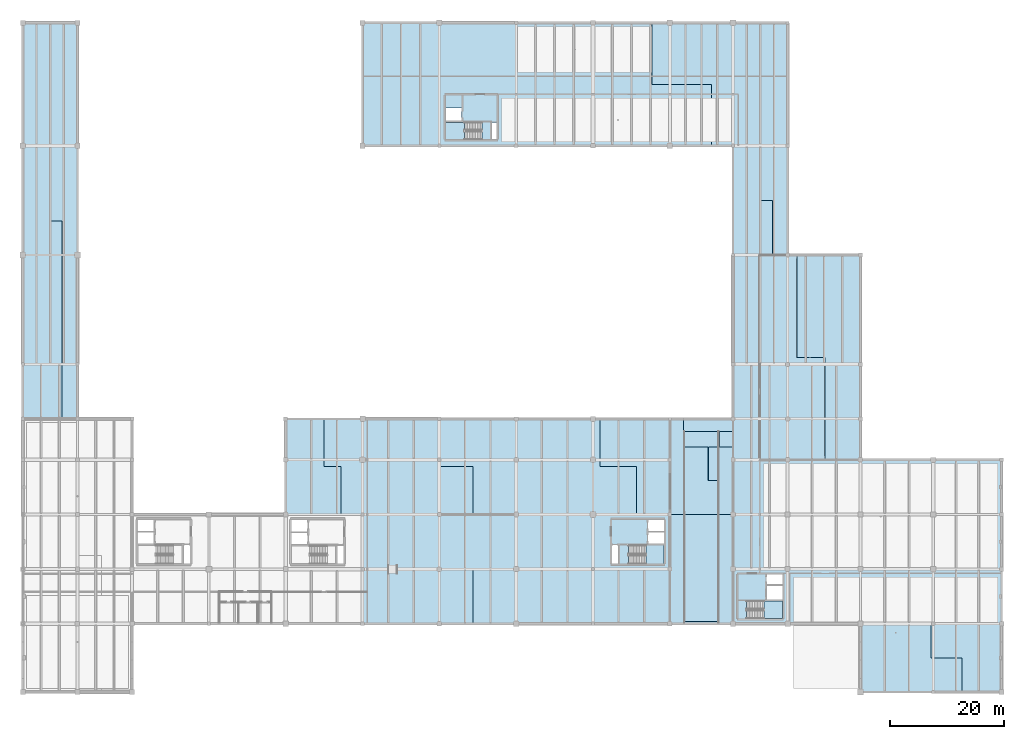
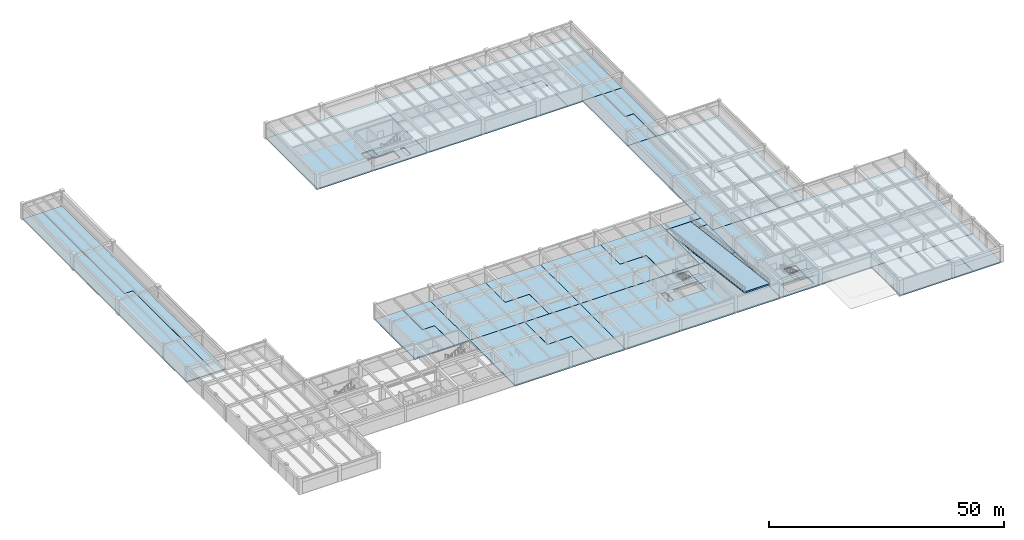
# One storey, part 7 of 28: 29 slabs, 3 elements without a shape of their own.
"""IFC4 building model written with IfcOpenShell, lengths in metres."""

from ifc_helpers import new_model, si_unit, direction, frame, origin, place, context, subcontext, project, spatial, polyline, outline, extrude, material, layer, layer_set, type_object, element, aggregate, save


model = new_model("IFC4")

# Units and contexts
model_context = context("Model", 3, precision=1e-05, world=origin(), true_north=direction((0.0, 1.0)))
body_context = subcontext(model_context, "Body", "Model", "MODEL_VIEW")
ifc_project = project(units=[si_unit("LENGTHUNIT", "METRE"), si_unit("AREAUNIT", "SQUARE_METRE"), si_unit("VOLUMEUNIT", "CUBIC_METRE"), si_unit("PLANEANGLEUNIT", "RADIAN"), si_unit("MASSUNIT", "GRAM", prefix="KILO")], contexts=[model_context])

# Site, building, storey
site_placement = place(None, origin())
site = spatial("IfcSite", under=ifc_project, at=site_placement, CompositionType="ELEMENT")
building_placement = place(site_placement, origin())
building = spatial("IfcBuilding", under=site, at=building_placement, Name="Fikremerkos Civic Library", CompositionType="ELEMENT")
storey_placement = place(building_placement, frame((0.0, 0.0, -4.199951171875)))
storey = spatial("IfcBuildingStorey", under=building, at=storey_placement, Name="B01", CompositionType="ELEMENT", Elevation=-4.199951171875)

# Stair, slab
ifc_material = material(Name="Concrete C40/50", Category="concrete")
stair_type_1 = type_object("IfcStairType", Name="Half turn stair ST-HT-01 W1550 H4200", PredefinedType="HALF_TURN_STAIR", material=ifc_material)
stair_1_placement = place(storey_placement, origin())
stair_1 = element("IfcStair", 1, at=stair_1_placement, inside=storey, type_object=stair_type_1, Name="B01 ST-K2", PredefinedType="HALF_TURN_STAIR")
ifc_layer_1 = layer(ifc_material, 0.199951171875, Name="Concrete C40/50")
ifc_layer_set_1 = layer_set([ifc_layer_1], Name="Concrete C40/50")
slab_type_1 = type_object("IfcSlabType", Name="Stair landing slab SLS-01 200", PredefinedType="LANDING", material=ifc_layer_set_1)
slab_1_placement = place(storey_placement, frame((0.0, 0.0, 1.89990234375)))
slab_1 = element("IfcSlab", 2, at=slab_1_placement, type_object=slab_type_1, Name="ST-K2 landing 1", PredefinedType="LANDING", context=body_context, shape_type="SweptSolid", body=[
    extrude(outline(polyline([(109.530029296875, 22.5), (112.699951171875, 22.5), (112.699951171875, 25.800048828125), (109.530029296875, 25.800048828125), (109.530029296875, 22.5)])), origin(), (0.0, 0.0, 1.0), 0.199951171875),
])
aggregate(stair_1, [slab_1])

stair_type_2 = type_object("IfcStairType", Name="Half turn stair ST-HT-07 W1450 H4200", PredefinedType="HALF_TURN_STAIR", material=ifc_material)
stair_2_placement = place(storey_placement, origin())
stair_2 = element("IfcStair", 3, at=stair_2_placement, inside=storey, type_object=stair_type_2, Name="B01 ST-K4", PredefinedType="HALF_TURN_STAIR")
slab_2_placement = place(storey_placement, frame((0.0, 0.0, 1.89990234375)))
slab_2 = element("IfcSlab", 4, at=slab_2_placement, type_object=slab_type_1, Name="ST-K4 landing 1", PredefinedType="LANDING", context=body_context, shape_type="SweptSolid", body=[
    extrude(outline(polyline([(130.22998046875, 12.89990234375), (133.5, 12.89990234375), (133.5, 16.0), (130.22998046875, 16.0), (130.22998046875, 12.89990234375)])), origin(), (0.0, 0.0, 1.0), 0.199951171875),
])
aggregate(stair_2, [slab_2])

stair_type_3 = type_object("IfcStairType", Name="Half turn stair ST-HT-10 W1400 H4200", PredefinedType="HALF_TURN_STAIR", material=ifc_material)
stair_3_placement = place(storey_placement, origin())
stair_3 = element("IfcStair", 5, at=stair_3_placement, inside=storey, type_object=stair_type_3, Name="B01 ST-K5", PredefinedType="HALF_TURN_STAIR")
slab_3_placement = place(storey_placement, frame((0.0, 0.0, 1.89990234375)))
slab_3 = element("IfcSlab", 6, at=slab_3_placement, type_object=slab_type_1, Name="ST-K5 landing 1", PredefinedType="LANDING", context=body_context, shape_type="SweptSolid", body=[
    extrude(outline(polyline([(77.6201171875, 100.10009765625), (74.300048828125, 100.10009765625), (74.300048828125, 97.10009765625), (77.6201171875, 97.10009765625), (77.6201171875, 100.10009765625)])), origin(), (0.0, 0.0, 1.0), 0.199951171875),
])
aggregate(stair_3, [slab_3])

# Slabs
ifc_layer_2 = layer(ifc_material, 0.340087890625, Name="Concrete C40/50")
ifc_layer_set_2 = layer_set([ifc_layer_2], Name="Concrete C40/50")
slab_type_2 = type_object("IfcSlabType", Name="Suspended floor slab SFS-01 340", PredefinedType="FLOOR", material=ifc_layer_set_2)
slab_4_placement = place(storey_placement, frame((0.0, 0.0, -0.340087890625)))
element("IfcSlab", 7, at=slab_4_placement, inside=storey, type_object=slab_type_2, Name="Floor slab SFS-01 SLB-B01-V4-M-2L1", PredefinedType="FLOOR", context=body_context, shape_type="SweptSolid", body=[
    extrude(outline(polyline([(59.699951171875, 12.0), (79.135986328125, 12.0), (79.135986328125, 21.595947265625), (73.196044921875, 21.595947265625), (73.196044921875, 31.199951171875), (59.699951171875, 31.199951171875), (59.699951171875, 12.0)])), origin(), (0.0, 0.0, 1.0), 0.340087890625),
])
slab_5_placement = place(storey_placement, frame((0.0, 0.0, -0.340087890625)))
element("IfcSlab", 8, at=slab_5_placement, inside=storey, type_object=slab_type_2, Name="Floor slab SFS-01 SLB-B01-V4-M-2L2", PredefinedType="FLOOR", context=body_context, shape_type="SweptSolid", body=[
    extrude(outline(polyline([(79.14404296875, 12.0), (86.699951171875, 12.0), (86.699951171875, 31.199951171875), (73.2041015625, 31.199951171875), (73.2041015625, 21.60400390625), (79.14404296875, 21.60400390625), (79.14404296875, 12.0)])), origin(), (0.0, 0.0, 1.0), 0.340087890625),
])
slab_6_placement = place(storey_placement, frame((0.0, 0.0, -0.340087890625)))
element("IfcSlab", 9, at=slab_6_placement, inside=storey, type_object=slab_type_2, Name="Floor slab SFS-01 SLB-B01-V4-M-3", PredefinedType="FLOOR", context=body_context, shape_type="SweptSolid", body=[
    extrude(outline(polyline([(86.699951171875, 12.0), (124.800048828125, 12.0), (124.800048828125, 31.199951171875), (86.699951171875, 31.199951171875), (86.699951171875, 12.0)]), holes=[polyline([(106.449951171875, 22.5), (112.699951171875, 22.5), (112.699951171875, 25.800048828125), (106.449951171875, 25.800048828125), (106.449951171875, 22.5)]), polyline([(109.89990234375, 26.06005859375), (112.699951171875, 26.06005859375), (112.699951171875, 28.10009765625), (109.89990234375, 28.10009765625), (109.89990234375, 26.06005859375)]), polyline([(109.89990234375, 28.260009765625), (112.699951171875, 28.260009765625), (112.699951171875, 30.300048828125), (109.89990234375, 30.300048828125), (109.89990234375, 28.260009765625)]), polyline([(103.5, 22.5), (104.639892578125, 22.5), (104.639892578125, 25.800048828125), (103.5, 25.800048828125), (103.5, 22.5)])]), origin(), (0.0, 0.0, 1.0), 0.340087890625),
])
ifc_layer_3 = layer(ifc_material, 0.320068359375, Name="Concrete C40/50")
ifc_layer_set_3 = layer_set([ifc_layer_3], Name="Concrete C40/50")
slab_type_3 = type_object("IfcSlabType", Name="Suspended floor slab SFS-02 320", PredefinedType="FLOOR", material=ifc_layer_set_3)
slab_7_placement = place(storey_placement, frame((0.0, 0.0, -0.320068359375)))
element("IfcSlab", 10, at=slab_7_placement, inside=storey, type_object=slab_type_3, Name="Floor slab SFS-02 SLB-B01-V4-A-1L1", PredefinedType="FLOOR", context=body_context, shape_type="SweptSolid", body=[
    extrude(outline(polyline([(46.199951171875, 31.199951171875), (55.916015625, 31.199951171875), (55.916015625, 39.595947265625), (52.946044921875, 39.595947265625), (52.946044921875, 48.0), (46.199951171875, 48.0), (46.199951171875, 31.199951171875)])), origin(), (0.0, 0.0, 1.0), 0.320068359375),
])
slab_8_placement = place(storey_placement, frame((0.0, 0.0, -0.320068359375)))
element("IfcSlab", 11, at=slab_8_placement, inside=storey, type_object=slab_type_3, Name="Floor slab SFS-02 SLB-B01-V4-A-1L2", PredefinedType="FLOOR", context=body_context, shape_type="SweptSolid", body=[
    extrude(outline(polyline([(55.924072265625, 31.199951171875), (59.699951171875, 31.199951171875), (59.699951171875, 48.0), (52.9541015625, 48.0), (52.9541015625, 39.60400390625), (55.924072265625, 39.60400390625), (55.924072265625, 31.199951171875)])), origin(), (0.0, 0.0, 1.0), 0.320068359375),
])
slab_9_placement = place(storey_placement, frame((0.0, 0.0, -0.320068359375)))
element("IfcSlab", 12, at=slab_9_placement, inside=storey, type_object=slab_type_3, Name="Floor slab SFS-02 SLB-B01-V4-A-2L1", PredefinedType="FLOOR", context=body_context, shape_type="SweptSolid", body=[
    extrude(outline(polyline([(59.699951171875, 31.199951171875), (79.135986328125, 31.199951171875), (79.135986328125, 39.595947265625), (73.196044921875, 39.595947265625), (73.196044921875, 48.0), (59.699951171875, 48.0), (59.699951171875, 31.199951171875)])), origin(), (0.0, 0.0, 1.0), 0.320068359375),
])
slab_10_placement = place(storey_placement, frame((0.0, 0.0, -0.320068359375)))
element("IfcSlab", 13, at=slab_10_placement, inside=storey, type_object=slab_type_3, Name="Floor slab SFS-02 SLB-B01-V4-A-2L2", PredefinedType="FLOOR", context=body_context, shape_type="SweptSolid", body=[
    extrude(outline(polyline([(79.14404296875, 31.199951171875), (86.699951171875, 31.199951171875), (86.699951171875, 48.0), (73.2041015625, 48.0), (73.2041015625, 39.60400390625), (79.14404296875, 39.60400390625), (79.14404296875, 31.199951171875)])), origin(), (0.0, 0.0, 1.0), 0.320068359375),
])
slab_11_placement = place(storey_placement, frame((0.0, 0.0, -0.320068359375)))
element("IfcSlab", 14, at=slab_11_placement, inside=storey, type_object=slab_type_3, Name="Floor slab SFS-02 SLB-B01-V4-A-3L1", PredefinedType="FLOOR", context=body_context, shape_type="SweptSolid", body=[
    extrude(outline(polyline([(86.699951171875, 31.199951171875), (107.864013671875, 31.199951171875), (107.864013671875, 39.595947265625), (101.39599609375, 39.595947265625), (101.39599609375, 48.0), (86.699951171875, 48.0), (86.699951171875, 31.199951171875)])), origin(), (0.0, 0.0, 1.0), 0.320068359375),
])
slab_12_placement = place(storey_placement, frame((0.0, 0.0, -0.320068359375)))
element("IfcSlab", 15, at=slab_12_placement, inside=storey, type_object=slab_type_3, Name="Floor slab SFS-02 SLB-B01-V4-A-3L2", PredefinedType="FLOOR", context=body_context, shape_type="SweptSolid", body=[
    extrude(outline(polyline([(107.8720703125, 31.199951171875), (116.10009765625, 31.199951171875), (116.10009765625, 48.0), (101.404052734375, 48.0), (101.404052734375, 39.60400390625), (107.8720703125, 39.60400390625), (107.8720703125, 31.199951171875)])), origin(), (0.0, 0.0, 1.0), 0.320068359375),
])
slab_13_placement = place(storey_placement, frame((0.0, 0.0, -0.320068359375)))
element("IfcSlab", 16, at=slab_13_placement, inside=storey, type_object=slab_type_3, Name="Floor slab SFS-02 SLB-B01-V4-AR-1L1", PredefinedType="FLOOR", context=body_context, shape_type="SweptSolid", body=[
    extrude(outline(polyline([(116.10009765625, 31.199951171875), (122.360107421875, 31.199951171875), (122.360107421875, 37.14599609375), (120.446044921875, 37.14599609375), (120.446044921875, 43.10009765625), (116.10009765625, 43.10009765625), (116.10009765625, 31.199951171875)])), origin(), (0.0, 0.0, 1.0), 0.320068359375),
])
slab_14_placement = place(storey_placement, frame((0.0, 0.0, -0.320068359375)))
element("IfcSlab", 17, at=slab_14_placement, inside=storey, type_object=slab_type_3, Name="Floor slab SFS-02 SLB-B01-V4-AR-1L2", PredefinedType="FLOOR", context=body_context, shape_type="SweptSolid", body=[
    extrude(outline(polyline([(122.367919921875, 31.199951171875), (124.800048828125, 31.199951171875), (124.800048828125, 43.10009765625), (120.4541015625, 43.10009765625), (120.4541015625, 37.154052734375), (122.367919921875, 37.154052734375), (122.367919921875, 31.199951171875)])), origin(), (0.0, 0.0, 1.0), 0.320068359375),
])
slab_15_placement = place(storey_placement, frame((0.0, 0.0, -0.320068359375)))
element("IfcSlab", 18, at=slab_15_placement, inside=storey, type_object=slab_type_3, Name="Floor slab SFS-02 SLB-B01-V4-AN-1", PredefinedType="FLOOR", context=body_context, shape_type="SweptSolid", body=[
    extrude(outline(polyline([(116.10009765625, 45.800048828125), (124.800048828125, 45.800048828125), (124.800048828125, 48.0), (116.10009765625, 48.0), (116.10009765625, 45.800048828125)])), origin(), (0.0, 0.0, 1.0), 0.320068359375),
])
slab_16_placement = place(storey_placement, frame((0.0, 0.0, -0.320068359375)))
element("IfcSlab", 19, at=slab_16_placement, inside=storey, type_object=slab_type_3, Name="Floor slab SFS-02 SLB-B01-V4-AE-1", PredefinedType="FLOOR", context=body_context, shape_type="SweptSolid", body=[
    extrude(outline(polyline([(122.39990234375, 43.10009765625), (124.800048828125, 43.10009765625), (124.800048828125, 45.800048828125), (122.39990234375, 45.800048828125), (122.39990234375, 43.10009765625)])), origin(), (0.0, 0.0, 1.0), 0.320068359375),
])
slab_17_placement = place(storey_placement, frame((0.0, 0.0, -0.320068359375)))
element("IfcSlab", 20, at=slab_17_placement, inside=storey, type_object=slab_type_3, Name="Floor slab SFS-02 SLB-B01-V3-M-1", PredefinedType="FLOOR", context=body_context, shape_type="SweptSolid", body=[
    extrude(outline(polyline([(124.800048828125, 12.0), (172.0, 12.0), (172.0, 40.800048828125), (124.800048828125, 40.800048828125), (124.800048828125, 12.0)]), holes=[polyline([(127.14990234375, 12.89990234375), (133.5, 12.89990234375), (133.5, 16.0), (127.14990234375, 16.0), (127.14990234375, 12.89990234375)]), polyline([(130.699951171875, 16.260009765625), (133.5, 16.260009765625), (133.5, 18.699951171875), (130.699951171875, 18.699951171875), (130.699951171875, 16.260009765625)]), polyline([(130.699951171875, 18.89990234375), (133.5, 18.89990234375), (133.5, 20.699951171875), (130.699951171875, 20.699951171875), (130.699951171875, 18.89990234375)])]), origin(), (0.0, 0.0, 1.0), 0.320068359375),
])
ifc_layer_4 = layer(ifc_material, 0.300048828125, Name="Concrete C40/50")
ifc_layer_set_4 = layer_set([ifc_layer_4], Name="Concrete C40/50")
slab_type_4 = type_object("IfcSlabType", Name="Suspended floor slab SFS-03 300", PredefinedType="FLOOR", material=ifc_layer_set_4)
slab_18_placement = place(storey_placement, frame((0.0, 0.0, -0.300048828125)))
element("IfcSlab", 21, at=slab_18_placement, inside=storey, type_object=slab_type_4, Name="Floor slab SFS-03 SLB-B01-V5-N-1L1", PredefinedType="FLOOR", context=body_context, shape_type="SweptSolid", body=[
    extrude(outline(polyline([(0.0, 48.0), (6.907958984375, 48.0), (6.907958984375, 82.7958984375), (4.7958984375, 82.7958984375), (4.7958984375, 117.60009765625), (0.0, 117.60009765625), (0.0, 48.0)])), origin(), (0.0, 0.0, 1.0), 0.300048828125),
])
slab_19_placement = place(storey_placement, frame((0.0, 0.0, -0.300048828125)))
element("IfcSlab", 22, at=slab_19_placement, inside=storey, type_object=slab_type_4, Name="Floor slab SFS-03 SLB-B01-V5-N-1L2", PredefinedType="FLOOR", context=body_context, shape_type="SweptSolid", body=[
    extrude(outline(polyline([(6.916015625, 48.0), (9.60009765625, 48.0), (9.60009765625, 117.60009765625), (4.803955078125, 117.60009765625), (4.803955078125, 82.803955078125), (6.916015625, 82.803955078125), (6.916015625, 48.0)])), origin(), (0.0, 0.0, 1.0), 0.300048828125),
])
slab_20_placement = place(storey_placement, frame((0.0, 0.0, -0.300048828125)))
element("IfcSlab", 23, at=slab_20_placement, inside=storey, type_object=slab_type_4, Name="Floor slab SFS-03 SLB-B01-V3-S-1L1", PredefinedType="FLOOR", context=body_context, shape_type="SweptSolid", body=[
    extrude(outline(polyline([(147.199951171875, 0.0), (165.052001953125, 0.0), (165.052001953125, 5.99609375), (159.595947265625, 5.99609375), (159.595947265625, 12.0), (147.199951171875, 12.0), (147.199951171875, 0.0)])), origin(), (0.0, 0.0, 1.0), 0.300048828125),
])
slab_21_placement = place(storey_placement, frame((0.0, 0.0, -0.300048828125)))
element("IfcSlab", 24, at=slab_21_placement, inside=storey, type_object=slab_type_4, Name="Floor slab SFS-03 SLB-B01-V3-S-1L2", PredefinedType="FLOOR", context=body_context, shape_type="SweptSolid", body=[
    extrude(outline(polyline([(165.06005859375, 0.0), (172.0, 0.0), (172.0, 12.0), (159.60400390625, 12.0), (159.60400390625, 6.00390625), (165.06005859375, 6.00390625), (165.06005859375, 0.0)])), origin(), (0.0, 0.0, 1.0), 0.300048828125),
])
slab_22_placement = place(storey_placement, frame((0.0, 0.0, -0.300048828125)))
element("IfcSlab", 25, at=slab_22_placement, inside=storey, type_object=slab_type_4, Name="Floor slab SFS-03 SLB-B01-V3-N-1L1", PredefinedType="FLOOR", context=body_context, shape_type="SweptSolid", body=[
    extrude(outline(polyline([(124.800048828125, 40.800048828125), (140.924072265625, 40.800048828125), (140.924072265625, 58.7958984375), (135.99609375, 58.7958984375), (135.99609375, 76.800048828125), (124.800048828125, 76.800048828125), (124.800048828125, 40.800048828125)])), origin(), (0.0, 0.0, 1.0), 0.300048828125),
])
slab_23_placement = place(storey_placement, frame((0.0, 0.0, -0.300048828125)))
element("IfcSlab", 26, at=slab_23_placement, inside=storey, type_object=slab_type_4, Name="Floor slab SFS-03 SLB-B01-V3-N-1L2", PredefinedType="FLOOR", context=body_context, shape_type="SweptSolid", body=[
    extrude(outline(polyline([(140.931884765625, 40.800048828125), (147.199951171875, 40.800048828125), (147.199951171875, 76.800048828125), (136.00390625, 76.800048828125), (136.00390625, 58.803955078125), (140.931884765625, 58.803955078125), (140.931884765625, 40.800048828125)])), origin(), (0.0, 0.0, 1.0), 0.300048828125),
])
slab_24_placement = place(storey_placement, frame((0.0, 0.0, -0.300048828125)))
element("IfcSlab", 27, at=slab_24_placement, inside=storey, type_object=slab_type_4, Name="Floor slab SFS-03 SLB-B01-V2-P-1", PredefinedType="FLOOR", context=body_context, shape_type="SweptSolid", body=[
    extrude(outline(polyline([(59.699951171875, 96.0), (86.699951171875, 96.0), (86.699951171875, 117.60009765625), (59.699951171875, 117.60009765625), (59.699951171875, 96.0)]), holes=[polyline([(74.300048828125, 97.10009765625), (80.699951171875, 97.10009765625), (80.699951171875, 100.10009765625), (74.300048828125, 100.10009765625), (74.300048828125, 97.10009765625)]), polyline([(74.300048828125, 100.360107421875), (77.10009765625, 100.360107421875), (77.10009765625, 102.60009765625), (74.300048828125, 102.60009765625), (74.300048828125, 100.360107421875)]), polyline([(82.360107421875, 97.10009765625), (83.300048828125, 97.10009765625), (83.300048828125, 100.10009765625), (82.360107421875, 100.10009765625), (82.360107421875, 97.10009765625)])]), origin(), (0.0, 0.0, 1.0), 0.300048828125),
])
slab_25_placement = place(storey_placement, frame((0.0, 0.0, -0.300048828125)))
element("IfcSlab", 28, at=slab_25_placement, inside=storey, type_object=slab_type_4, Name="Floor slab SFS-03 SLB-B01-V2-P-2L1", PredefinedType="FLOOR", context=body_context, shape_type="SweptSolid", body=[
    extrude(outline(polyline([(86.699951171875, 96.0), (121.0400390625, 96.0), (121.0400390625, 106.7958984375), (110.5458984375, 106.7958984375), (110.5458984375, 117.60009765625), (86.699951171875, 117.60009765625), (86.699951171875, 96.0)])), origin(), (0.0, 0.0, 1.0), 0.300048828125),
])
slab_26_placement = place(storey_placement, frame((0.0, 0.0, -0.300048828125)))
element("IfcSlab", 29, at=slab_26_placement, inside=storey, type_object=slab_type_4, Name="Floor slab SFS-03 SLB-B01-V2-P-2L2", PredefinedType="FLOOR", context=body_context, shape_type="SweptSolid", body=[
    extrude(outline(polyline([(121.048095703125, 96.0), (134.39990234375, 96.0), (134.39990234375, 117.60009765625), (110.553955078125, 117.60009765625), (110.553955078125, 106.803955078125), (121.048095703125, 106.803955078125), (121.048095703125, 96.0)])), origin(), (0.0, 0.0, 1.0), 0.300048828125),
])
ifc_layer_5 = layer(ifc_material, 0.280029296875, Name="Concrete C40/50")
ifc_layer_set_5 = layer_set([ifc_layer_5], Name="Concrete C40/50")
slab_type_5 = type_object("IfcSlabType", Name="Suspended floor slab SFS-04 280", PredefinedType="FLOOR", material=ifc_layer_set_5)
slab_27_placement = place(storey_placement, frame((0.0, 0.0, -0.280029296875)))
element("IfcSlab", 30, at=slab_27_placement, inside=storey, type_object=slab_type_5, Name="Floor slab SFS-04 SLB-B01-V2-L-1L1", PredefinedType="FLOOR", context=body_context, shape_type="SweptSolid", body=[
    extrude(outline(polyline([(124.800048828125, 76.800048828125), (131.7080078125, 76.800048828125), (131.7080078125, 86.39599609375), (129.595947265625, 86.39599609375), (129.595947265625, 96.0), (124.800048828125, 96.0), (124.800048828125, 76.800048828125)])), origin(), (0.0, 0.0, 1.0), 0.280029296875),
])
slab_28_placement = place(storey_placement, frame((0.0, 0.0, -0.280029296875)))
element("IfcSlab", 31, at=slab_28_placement, inside=storey, type_object=slab_type_5, Name="Floor slab SFS-04 SLB-B01-V2-L-1L2", PredefinedType="FLOOR", context=body_context, shape_type="SweptSolid", body=[
    extrude(outline(polyline([(131.716064453125, 76.800048828125), (134.39990234375, 76.800048828125), (134.39990234375, 96.0), (129.60400390625, 96.0), (129.60400390625, 86.404052734375), (131.716064453125, 86.404052734375), (131.716064453125, 76.800048828125)])), origin(), (0.0, 0.0, 1.0), 0.280029296875),
])
ifc_layer_6 = layer(ifc_material, 0.300048828125, Name="Concrete C40/50")
ifc_layer_set_6 = layer_set([ifc_layer_6], Name="Concrete C40/50")
slab_type_6 = type_object("IfcSlabType", Name="Suspended floor slab VRS-01 300", PredefinedType="FLOOR", material=ifc_layer_set_6)
slab_29_placement = place(storey_placement, frame((116.14990234375, 12.389892578125, 4.14990234375), z_axis=(0.0, 0.124763963218, 0.992186450967), x_axis=(1.0, 0.0, 0.0)))
element("IfcSlab", 32, at=slab_29_placement, inside=storey, type_object=slab_type_6, Name="Vehicle ramp VR01 sloped structural slab VRS-01", PredefinedType="FLOOR", context=body_context, shape_type="SweptSolid", body=[
    extrude(outline(polyline([(0.0, 0.0), (6.2001953125, 0.0), (6.2001953125, 33.663175355629214), (0.0, 33.663175355629214), (0.0, 0.0)])), origin(), (0.0, 0.0, -1.0), 0.300048828125),
])

save(model, "model.ifc")
